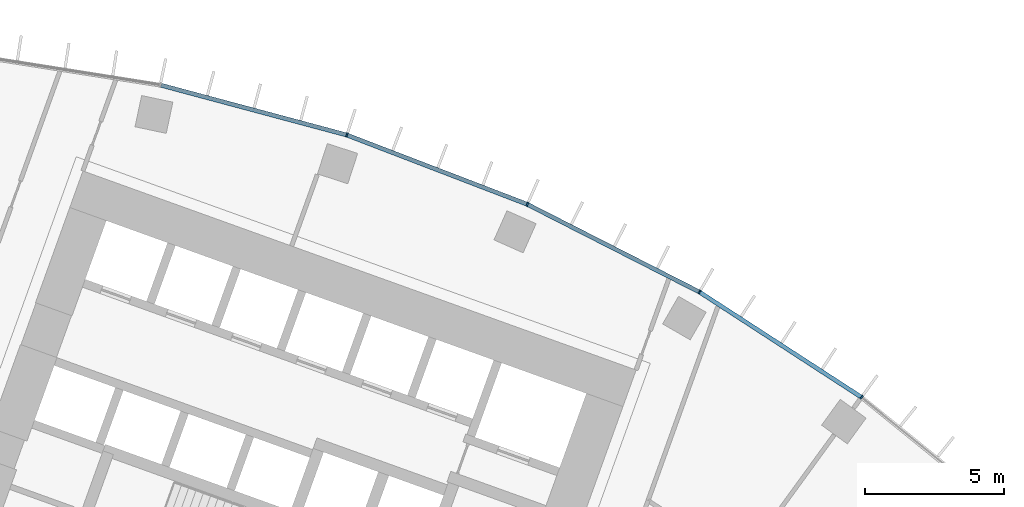
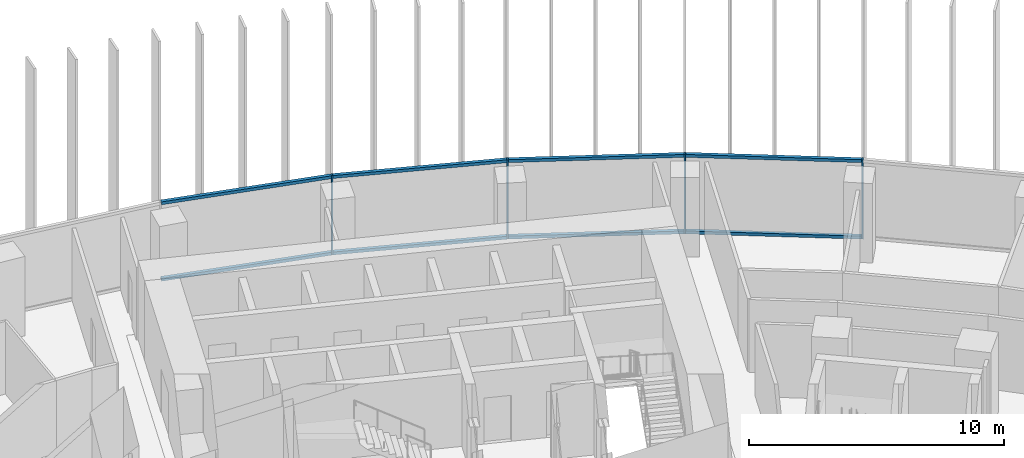
# One storey, part 11 of 22: 12 members, 1 element without a shape of its own.
"""IFC4 building model written with IfcOpenShell, lengths in metres."""

from ifc_helpers import new_model, si_unit, direction, frame, origin, origin_2d, place, context, subcontext, project, spatial, rectangle, extrude, material, layer, layer_set, material_profile, profile_set, type_object, element, aggregate, save


model = new_model("IFC4")

# Units and contexts
model_context = context("Model", 3, precision=1e-05, world=origin(), true_north=direction((0.0, 1.0)))
body_context = subcontext(model_context, "Body", "Model", "MODEL_VIEW")
ifc_project = project(units=[si_unit("LENGTHUNIT", "METRE"), si_unit("AREAUNIT", "SQUARE_METRE"), si_unit("VOLUMEUNIT", "CUBIC_METRE"), si_unit("PLANEANGLEUNIT", "RADIAN"), si_unit("MASSUNIT", "GRAM", prefix="KILO")], contexts=[model_context])

# Site, building, storey
site_placement = place(None, origin())
site = spatial("IfcSite", under=ifc_project, at=site_placement, CompositionType="ELEMENT")
building_placement = place(site_placement, origin())
building = spatial("IfcBuilding", under=site, at=building_placement, Name="Stone Belt Terrace Tower", CompositionType="ELEMENT")
storey_placement = place(building_placement, frame((0.0, 0.0, 109.800048828125)))
storey = spatial("IfcBuildingStorey", under=building, at=storey_placement, Name="L26", CompositionType="ELEMENT", Elevation=109.800048828125)

# Curtain wall, members
ifc_material = material(Name="Aluminium 6063-T6 anodised frame", Category="aluminium")
ifc_layer = layer(ifc_material, 0.14990234375)
ifc_layer_set = layer_set([ifc_layer], Name="CW-A unitised convex-face curtain wall")
curtain_wall_type = type_object("IfcCurtainWallType", Name="CW-A unitised convex-face curtain wall", PredefinedType="NOTDEFINED", material=ifc_layer_set)
curtain_wall_placement = place(storey_placement, origin())
curtain_wall = element("IfcCurtainWall", 1, at=curtain_wall_placement, inside=storey, type_object=curtain_wall_type, Name="CW-A convex face L26", PredefinedType="NOTDEFINED")
ifc_material_profile_1 = material_profile(ifc_material, rectangle(XDim=0.14990234375, YDim=0.06005859375, at=origin_2d()), Name="Aluminium 6063-T6 60x150")
ifc_profile_set_1 = profile_set([ifc_material_profile_1], Name="Aluminium 6063-T6 anodised frame")
member_type_1 = type_object("IfcMemberType", Name="CW-A mullion 60 x 150", PredefinedType="MULLION", material=ifc_profile_set_1)
member_1_placement = place(storey_placement, frame((39.1318359375, 53.8603515625, 0.0), z_axis=(0.0, 0.0, 1.0), x_axis=(-0.587785252292, -0.809016994375, 0.0)))
member_1 = element("IfcMember", 2, at=member_1_placement, type_object=member_type_1, Name="CW-A mullion 4", PredefinedType="MULLION", context=body_context, shape_type="SweptSolid", body=[
    extrude(rectangle(XDim=0.14990234375, YDim=0.06005859375, at=origin_2d()), origin(), (0.0, 0.0, 1.0), 3.800048828125),
])
member_2_placement = place(storey_placement, frame((33.28759765625, 57.65576171875, 0.0), z_axis=(0.0, 0.0, 1.0), x_axis=(-0.5, -0.866025403784, 0.0)))
member_2 = element("IfcMember", 3, at=member_2_placement, type_object=member_type_1, Name="CW-A mullion 5", PredefinedType="MULLION", context=body_context, shape_type="SweptSolid", body=[
    extrude(rectangle(XDim=0.14990234375, YDim=0.06005859375, at=origin_2d()), origin(), (0.0, 0.0, 1.0), 3.800048828125),
])
member_3_placement = place(storey_placement, frame((27.07861328125, 60.8193359375, 0.0), z_axis=(0.0, 0.0, 1.0), x_axis=(-0.406736643076, -0.913545457643, 0.0)))
member_3 = element("IfcMember", 4, at=member_3_placement, type_object=member_type_1, Name="CW-A mullion 6", PredefinedType="MULLION", context=body_context, shape_type="SweptSolid", body=[
    extrude(rectangle(XDim=0.14990234375, YDim=0.06005859375, at=origin_2d()), origin(), (0.0, 0.0, 1.0), 3.800048828125),
])
member_4_placement = place(storey_placement, frame((20.57275390625, 63.316650390625, 0.0), z_axis=(0.0, 0.0, 1.0), x_axis=(-0.309016994375, -0.951056516295, 0.0)))
member_4 = element("IfcMember", 5, at=member_4_placement, type_object=member_type_1, Name="CW-A mullion 7", PredefinedType="MULLION", context=body_context, shape_type="SweptSolid", body=[
    extrude(rectangle(XDim=0.14990234375, YDim=0.06005859375, at=origin_2d()), origin(), (0.0, 0.0, 1.0), 3.800048828125),
])
ifc_material_profile_2 = material_profile(ifc_material, rectangle(XDim=0.14990234375, YDim=0.139892578125, at=origin_2d()), Name="Aluminium 6063-T6 150x140")
ifc_profile_set_2 = profile_set([ifc_material_profile_2], Name="Aluminium 6063-T6 anodised frame")
member_type_2 = type_object("IfcMemberType", Name="CW-A transom 140 x 150", PredefinedType="USERDEFINED", material=ifc_profile_set_2)
member_5_placement = place(storey_placement, frame((39.103515625, 53.87890625, 0.070068359375), z_axis=(-0.83868440714, 0.544617723931, 0.0), x_axis=(-0.544617723931, -0.83868440714, 0.0)))
member_5 = element("IfcMember", 6, at=member_5_placement, type_object=member_type_2, Name="CW-A transom 4.1", ObjectType="TRANSOM", PredefinedType="USERDEFINED", context=body_context, shape_type="SweptSolid", body=[
    extrude(rectangle(XDim=0.14990234375, YDim=0.139892578125, at=origin_2d()), origin(), (0.0, 0.0, 1.0), 6.90087890625),
])
member_6_placement = place(storey_placement, frame((39.103515625, 53.87890625, 3.72998046875), z_axis=(-0.83868440714, 0.544617723931, 0.0), x_axis=(-0.544617723931, -0.83868440714, 0.0)))
member_6 = element("IfcMember", 7, at=member_6_placement, type_object=member_type_2, Name="CW-A transom 4.2", ObjectType="TRANSOM", PredefinedType="USERDEFINED", context=body_context, shape_type="SweptSolid", body=[
    extrude(rectangle(XDim=0.14990234375, YDim=0.139892578125, at=origin_2d()), origin(), (0.0, 0.0, 1.0), 6.90087890625),
])
member_7_placement = place(storey_placement, frame((33.25732421875, 57.671142578125, 0.070068359375), z_axis=(-0.891012226264, 0.453979308613, 0.0), x_axis=(-0.453979308613, -0.891012226264, 0.0)))
member_7 = element("IfcMember", 8, at=member_7_placement, type_object=member_type_2, Name="CW-A transom 5.1", ObjectType="TRANSOM", PredefinedType="USERDEFINED", context=body_context, shape_type="SweptSolid", body=[
    extrude(rectangle(XDim=0.14990234375, YDim=0.139892578125, at=origin_2d()), origin(), (0.0, 0.0, 1.0), 6.90087890625),
])
member_8_placement = place(storey_placement, frame((33.25732421875, 57.671142578125, 3.72998046875), z_axis=(-0.891012226264, 0.453979308613, 0.0), x_axis=(-0.453979308613, -0.891012226264, 0.0)))
member_8 = element("IfcMember", 9, at=member_8_placement, type_object=member_type_2, Name="CW-A transom 5.2", ObjectType="TRANSOM", PredefinedType="USERDEFINED", context=body_context, shape_type="SweptSolid", body=[
    extrude(rectangle(XDim=0.14990234375, YDim=0.139892578125, at=origin_2d()), origin(), (0.0, 0.0, 1.0), 6.90087890625),
])
member_9_placement = place(storey_placement, frame((27.046875, 60.83154296875, 0.070068359375), z_axis=(-0.933585210269, 0.358355487146, 0.0), x_axis=(-0.358355487146, -0.933585210269, 0.0)))
member_9 = element("IfcMember", 10, at=member_9_placement, type_object=member_type_2, Name="CW-A transom 6.1", ObjectType="TRANSOM", PredefinedType="USERDEFINED", context=body_context, shape_type="SweptSolid", body=[
    extrude(rectangle(XDim=0.14990234375, YDim=0.139892578125, at=origin_2d()), origin(), (0.0, 0.0, 1.0), 6.900634765625),
])
member_10_placement = place(storey_placement, frame((27.046875, 60.83154296875, 3.72998046875), z_axis=(-0.933585210269, 0.358355487146, 0.0), x_axis=(-0.358355487146, -0.933585210269, 0.0)))
member_10 = element("IfcMember", 11, at=member_10_placement, type_object=member_type_2, Name="CW-A transom 6.2", ObjectType="TRANSOM", PredefinedType="USERDEFINED", context=body_context, shape_type="SweptSolid", body=[
    extrude(rectangle(XDim=0.14990234375, YDim=0.139892578125, at=origin_2d()), origin(), (0.0, 0.0, 1.0), 6.900634765625),
])
member_11_placement = place(storey_placement, frame((20.5400390625, 63.325439453125, 0.070068359375), z_axis=(-0.965921835863, 0.258833937117, 0.0), x_axis=(-0.258833937117, -0.965921835863, 0.0)))
member_11 = element("IfcMember", 12, at=member_11_placement, type_object=member_type_2, Name="CW-A transom 7.1", ObjectType="TRANSOM", PredefinedType="USERDEFINED", context=body_context, shape_type="SweptSolid", body=[
    extrude(rectangle(XDim=0.14990234375, YDim=0.139892578125, at=origin_2d()), origin(), (0.0, 0.0, 1.0), 6.900634765625),
])
member_12_placement = place(storey_placement, frame((20.5400390625, 63.325439453125, 3.72998046875), z_axis=(-0.965921835863, 0.258833937117, 0.0), x_axis=(-0.258833937117, -0.965921835863, 0.0)))
member_12 = element("IfcMember", 13, at=member_12_placement, type_object=member_type_2, Name="CW-A transom 7.2", ObjectType="TRANSOM", PredefinedType="USERDEFINED", context=body_context, shape_type="SweptSolid", body=[
    extrude(rectangle(XDim=0.14990234375, YDim=0.139892578125, at=origin_2d()), origin(), (0.0, 0.0, 1.0), 6.900634765625),
])
aggregate(curtain_wall, [member_1, member_2, member_3, member_4, member_5, member_6, member_7, member_8, member_9, member_10, member_11, member_12])

save(model, "model.ifc")
